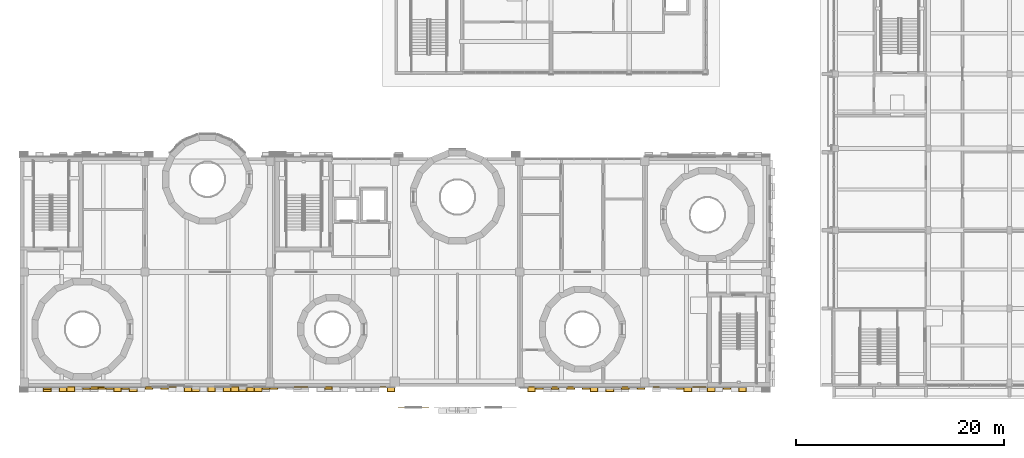
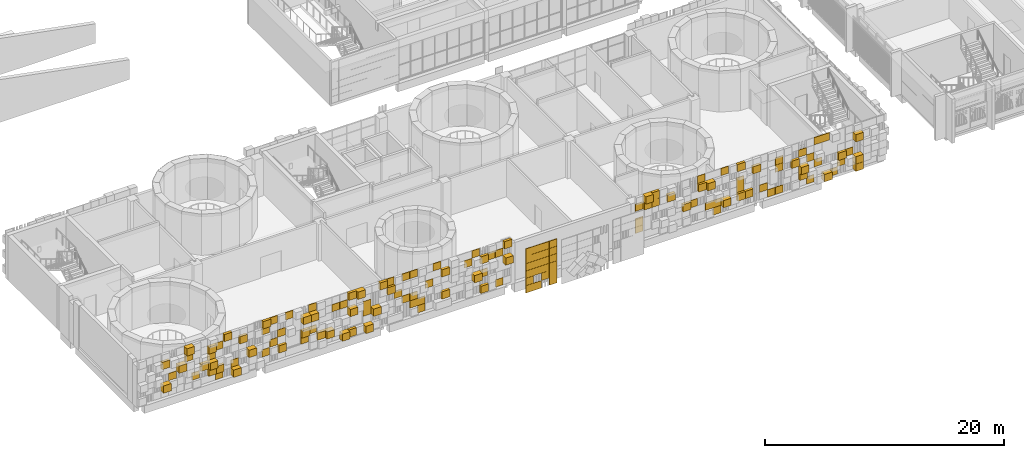
# One storey, part 63 of 92: 3 coverings.
"""IFC4 building model written with IfcOpenShell, lengths in metres."""

from ifc_helpers import new_model, si_unit, direction, frame, origin, origin_2d, place, context, subcontext, project, spatial, rectangle, extrude, material, layer, layer_set, type_object, element, save


model = new_model("IFC4")

# Units and contexts
model_context = context("Model", 3, precision=1e-05, world=origin(), true_north=direction((0.0, 1.0)))
body_context = subcontext(model_context, "Body", "Model", "MODEL_VIEW")
ifc_project = project(units=[si_unit("LENGTHUNIT", "METRE"), si_unit("AREAUNIT", "SQUARE_METRE"), si_unit("VOLUMEUNIT", "CUBIC_METRE"), si_unit("PLANEANGLEUNIT", "RADIAN"), si_unit("MASSUNIT", "GRAM", prefix="KILO")], contexts=[model_context])

# Site, building, storey
site_placement = place(None, origin())
site = spatial("IfcSite", under=ifc_project, at=site_placement, CompositionType="ELEMENT")
building_placement = place(site_placement, origin())
building = spatial("IfcBuilding", under=site, at=building_placement, Name="Sun Court Science Centre", CompositionType="ELEMENT")
storey_placement = place(building_placement, frame((0.0, 0.0, 11.25)))
storey = spatial("IfcBuildingStorey", under=building, at=storey_placement, Name="L02", CompositionType="ELEMENT", Elevation=11.25)

# Coverings
ifc_material_1 = material(Name="Red sandstone", Category="masonry")
ifc_layer_1 = layer(ifc_material_1, 0.06005859375)
ifc_layer_set_1 = layer_set([ifc_layer_1], Name="Red sandstone")
covering_type_1 = type_object("IfcCoveringType", Name="Red sandstone wall cladding 750", PredefinedType="CLADDING", material=ifc_layer_set_1)
covering_1_placement = place(storey_placement, frame((0.0, 0.0, -11.25)))
element("IfcCovering", 1, at=covering_1_placement, inside=storey, type_object=covering_type_1, Name="Red sandstone wall cladding portal-PORTAL-L L02", PredefinedType="CLADDING", context=body_context, shape_type="SweptSolid", body=[
    extrude(rectangle(XDim=0.739990234375, YDim=0.06005859375, at=origin_2d()), frame((38.925048828125, 3.969970703125, 11.2548828125), z_axis=(0.0, 0.0, 1.0), x_axis=(-1.0, 0.0, 0.0)), (0.0, 0.0, 1.0), 0.739990234375),
    extrude(rectangle(XDim=0.739990234375, YDim=0.06005859375, at=origin_2d()), frame((37.425048828125, 3.969970703125, 11.2548828125), z_axis=(0.0, 0.0, 1.0), x_axis=(-1.0, 0.0, 0.0)), (0.0, 0.0, 1.0), 0.739990234375),
    extrude(rectangle(XDim=0.739990234375, YDim=0.06005859375, at=origin_2d()), frame((36.675048828125, 3.969970703125, 11.2548828125), z_axis=(0.0, 0.0, 1.0), x_axis=(-1.0, 0.0, 0.0)), (0.0, 0.0, 1.0), 0.739990234375),
    extrude(rectangle(XDim=0.739990234375, YDim=0.06005859375, at=origin_2d()), frame((38.925048828125, 3.969970703125, 12.0048828125), z_axis=(0.0, 0.0, 1.0), x_axis=(-1.0, 0.0, 0.0)), (0.0, 0.0, 1.0), 0.739990234375),
    extrude(rectangle(XDim=0.739990234375, YDim=0.06005859375, at=origin_2d()), frame((38.175048828125, 3.969970703125, 12.0048828125), z_axis=(0.0, 0.0, 1.0), x_axis=(-1.0, 0.0, 0.0)), (0.0, 0.0, 1.0), 0.739990234375),
    extrude(rectangle(XDim=0.739990234375, YDim=0.06005859375, at=origin_2d()), frame((36.675048828125, 3.969970703125, 12.0048828125), z_axis=(0.0, 0.0, 1.0), x_axis=(-1.0, 0.0, 0.0)), (0.0, 0.0, 1.0), 0.739990234375),
    extrude(rectangle(XDim=0.739990234375, YDim=0.06005859375, at=origin_2d()), frame((38.925048828125, 3.969970703125, 12.7548828125), z_axis=(0.0, 0.0, 1.0), x_axis=(-1.0, 0.0, 0.0)), (0.0, 0.0, 1.0), 0.739990234375),
    extrude(rectangle(XDim=0.739990234375, YDim=0.06005859375, at=origin_2d()), frame((38.175048828125, 3.969970703125, 12.7548828125), z_axis=(0.0, 0.0, 1.0), x_axis=(-1.0, 0.0, 0.0)), (0.0, 0.0, 1.0), 0.739990234375),
    extrude(rectangle(XDim=0.739990234375, YDim=0.06005859375, at=origin_2d()), frame((37.425048828125, 3.969970703125, 12.7548828125), z_axis=(0.0, 0.0, 1.0), x_axis=(-1.0, 0.0, 0.0)), (0.0, 0.0, 1.0), 0.739990234375),
    extrude(rectangle(XDim=0.739990234375, YDim=0.06005859375, at=origin_2d()), frame((36.675048828125, 3.969970703125, 12.7548828125), z_axis=(0.0, 0.0, 1.0), x_axis=(-1.0, 0.0, 0.0)), (0.0, 0.0, 1.0), 0.739990234375),
    extrude(rectangle(XDim=0.739990234375, YDim=0.06005859375, at=origin_2d()), frame((38.925048828125, 3.969970703125, 13.5048828125), z_axis=(0.0, 0.0, 1.0), x_axis=(-1.0, 0.0, 0.0)), (0.0, 0.0, 1.0), 0.739990234375),
    extrude(rectangle(XDim=0.739990234375, YDim=0.06005859375, at=origin_2d()), frame((38.175048828125, 3.969970703125, 13.5048828125), z_axis=(0.0, 0.0, 1.0), x_axis=(-1.0, 0.0, 0.0)), (0.0, 0.0, 1.0), 0.739990234375),
    extrude(rectangle(XDim=0.739990234375, YDim=0.06005859375, at=origin_2d()), frame((37.425048828125, 3.969970703125, 13.5048828125), z_axis=(0.0, 0.0, 1.0), x_axis=(-1.0, 0.0, 0.0)), (0.0, 0.0, 1.0), 0.739990234375),
    extrude(rectangle(XDim=0.739990234375, YDim=0.06005859375, at=origin_2d()), frame((36.675048828125, 3.969970703125, 13.5048828125), z_axis=(0.0, 0.0, 1.0), x_axis=(-1.0, 0.0, 0.0)), (0.0, 0.0, 1.0), 0.739990234375),
    extrude(rectangle(XDim=0.739990234375, YDim=0.06005859375, at=origin_2d()), frame((38.925048828125, 3.969970703125, 14.2548828125), z_axis=(0.0, 0.0, 1.0), x_axis=(-1.0, 0.0, 0.0)), (0.0, 0.0, 1.0), 0.739990234375),
    extrude(rectangle(XDim=0.739990234375, YDim=0.06005859375, at=origin_2d()), frame((38.175048828125, 3.969970703125, 14.2548828125), z_axis=(0.0, 0.0, 1.0), x_axis=(-1.0, 0.0, 0.0)), (0.0, 0.0, 1.0), 0.739990234375),
    extrude(rectangle(XDim=0.739990234375, YDim=0.06005859375, at=origin_2d()), frame((37.425048828125, 3.969970703125, 14.2548828125), z_axis=(0.0, 0.0, 1.0), x_axis=(-1.0, 0.0, 0.0)), (0.0, 0.0, 1.0), 0.739990234375),
    extrude(rectangle(XDim=0.739990234375, YDim=0.06005859375, at=origin_2d()), frame((36.675048828125, 3.969970703125, 14.2548828125), z_axis=(0.0, 0.0, 1.0), x_axis=(-1.0, 0.0, 0.0)), (0.0, 0.0, 1.0), 0.739990234375),
    extrude(rectangle(XDim=0.739990234375, YDim=0.06005859375, at=origin_2d()), frame((38.925048828125, 3.969970703125, 15.0048828125), z_axis=(0.0, 0.0, 1.0), x_axis=(-1.0, 0.0, 0.0)), (0.0, 0.0, 1.0), 0.739990234375),
    extrude(rectangle(XDim=0.739990234375, YDim=0.06005859375, at=origin_2d()), frame((38.175048828125, 3.969970703125, 15.0048828125), z_axis=(0.0, 0.0, 1.0), x_axis=(-1.0, 0.0, 0.0)), (0.0, 0.0, 1.0), 0.739990234375),
    extrude(rectangle(XDim=0.739990234375, YDim=0.06005859375, at=origin_2d()), frame((37.425048828125, 3.969970703125, 15.0048828125), z_axis=(0.0, 0.0, 1.0), x_axis=(-1.0, 0.0, 0.0)), (0.0, 0.0, 1.0), 0.739990234375),
    extrude(rectangle(XDim=0.739990234375, YDim=0.06005859375, at=origin_2d()), frame((36.675048828125, 3.969970703125, 15.0048828125), z_axis=(0.0, 0.0, 1.0), x_axis=(-1.0, 0.0, 0.0)), (0.0, 0.0, 1.0), 0.739990234375),
])
ifc_material_2 = material(Name="Terracotta shade 3", Category="masonry")
ifc_layer_2 = layer(ifc_material_2, 0.06005859375)
ifc_layer_set_2 = layer_set([ifc_layer_2], Name="Terracotta shade 3")
covering_type_2 = type_object("IfcCoveringType", Name="Terracotta pixel panel shade 3", PredefinedType="CLADDING", material=ifc_layer_set_2)
covering_2_placement = place(storey_placement, frame((0.0, 0.0, -11.25)))
element("IfcCovering", 2, at=covering_2_placement, inside=storey, type_object=covering_type_2, Name="Terracotta pixel cladding shade 3 south face L02", PredefinedType="CLADDING", context=body_context, shape_type="SweptSolid", body=[
    extrude(rectangle(XDim=0.739990234375, YDim=0.510009765625, at=origin_2d()), frame((69.375, 5.7451171875, 11.2548828125), z_axis=(0.0, 0.0, 1.0), x_axis=(-1.0, 0.0, 0.0)), (0.0, 0.0, 1.0), 0.739990234375),
    extrude(rectangle(XDim=0.739990234375, YDim=0.510009765625, at=origin_2d()), frame((66.375, 5.7451171875, 11.2548828125), z_axis=(0.0, 0.0, 1.0), x_axis=(-1.0, 0.0, 0.0)), (0.0, 0.0, 1.0), 0.739990234375),
    extrude(rectangle(XDim=0.739990234375, YDim=0.06005859375, at=origin_2d()), frame((61.875, 5.969970703125, 11.2548828125), z_axis=(0.0, 0.0, 1.0), x_axis=(-1.0, 0.0, 0.0)), (0.0, 0.0, 1.0), 0.739990234375),
    extrude(rectangle(XDim=0.739990234375, YDim=0.06005859375, at=origin_2d()), frame((61.125, 5.969970703125, 11.2548828125), z_axis=(0.0, 0.0, 1.0), x_axis=(-1.0, 0.0, 0.0)), (0.0, 0.0, 1.0), 0.739990234375),
    extrude(rectangle(XDim=0.739990234375, YDim=0.06005859375, at=origin_2d()), frame((34.875, 5.969970703125, 11.2548828125), z_axis=(0.0, 0.0, 1.0), x_axis=(-1.0, 0.0, 0.0)), (0.0, 0.0, 1.0), 0.739990234375),
    extrude(rectangle(XDim=0.739990234375, YDim=0.260009765625, at=origin_2d()), frame((33.375, 5.8701171875, 11.2548828125), z_axis=(0.0, 0.0, 1.0), x_axis=(-1.0, 0.0, 0.0)), (0.0, 0.0, 1.0), 0.739990234375),
    extrude(rectangle(XDim=0.739990234375, YDim=0.06005859375, at=origin_2d()), frame((27.375, 5.969970703125, 11.2548828125), z_axis=(0.0, 0.0, 1.0), x_axis=(-1.0, 0.0, 0.0)), (0.0, 0.0, 1.0), 0.739990234375),
    extrude(rectangle(XDim=0.739990234375, YDim=0.510009765625, at=origin_2d()), frame((22.125, 5.7451171875, 11.2548828125), z_axis=(0.0, 0.0, 1.0), x_axis=(-1.0, 0.0, 0.0)), (0.0, 0.0, 1.0), 0.739990234375),
    extrude(rectangle(XDim=0.739990234375, YDim=0.260009765625, at=origin_2d()), frame((20.625, 5.8701171875, 11.2548828125), z_axis=(0.0, 0.0, 1.0), x_axis=(-1.0, 0.0, 0.0)), (0.0, 0.0, 1.0), 0.739990234375),
    extrude(rectangle(XDim=0.739990234375, YDim=0.510009765625, at=origin_2d()), frame((9.375, 5.7451171875, 11.2548828125), z_axis=(0.0, 0.0, 1.0), x_axis=(-1.0, 0.0, 0.0)), (0.0, 0.0, 1.0), 0.739990234375),
    extrude(rectangle(XDim=0.739990234375, YDim=0.06005859375, at=origin_2d()), frame((7.875, 5.969970703125, 11.2548828125), z_axis=(0.0, 0.0, 1.0), x_axis=(-1.0, 0.0, 0.0)), (0.0, 0.0, 1.0), 0.739990234375),
    extrude(rectangle(XDim=0.739990234375, YDim=0.06005859375, at=origin_2d()), frame((60.375, 5.969970703125, 12.0048828125), z_axis=(0.0, 0.0, 1.0), x_axis=(-1.0, 0.0, 0.0)), (0.0, 0.0, 1.0), 0.739990234375),
    extrude(rectangle(XDim=0.739990234375, YDim=0.260009765625, at=origin_2d()), frame((58.875, 5.8701171875, 12.0048828125), z_axis=(0.0, 0.0, 1.0), x_axis=(-1.0, 0.0, 0.0)), (0.0, 0.0, 1.0), 0.739990234375),
    extrude(rectangle(XDim=0.739990234375, YDim=0.510009765625, at=origin_2d()), frame((56.625, 5.7451171875, 12.0048828125), z_axis=(0.0, 0.0, 1.0), x_axis=(-1.0, 0.0, 0.0)), (0.0, 0.0, 1.0), 0.739990234375),
    extrude(rectangle(XDim=0.739990234375, YDim=0.06005859375, at=origin_2d()), frame((55.875, 5.969970703125, 12.0048828125), z_axis=(0.0, 0.0, 1.0), x_axis=(-1.0, 0.0, 0.0)), (0.0, 0.0, 1.0), 0.739990234375),
    extrude(rectangle(XDim=0.739990234375, YDim=0.06005859375, at=origin_2d()), frame((55.125, 5.969970703125, 12.0048828125), z_axis=(0.0, 0.0, 1.0), x_axis=(-1.0, 0.0, 0.0)), (0.0, 0.0, 1.0), 0.739990234375),
    extrude(rectangle(XDim=0.739990234375, YDim=0.06005859375, at=origin_2d()), frame((48.375, 5.969970703125, 12.0048828125), z_axis=(0.0, 0.0, 1.0), x_axis=(-1.0, 0.0, 0.0)), (0.0, 0.0, 1.0), 0.739990234375),
    extrude(rectangle(XDim=0.739990234375, YDim=0.260009765625, at=origin_2d()), frame((29.625, 5.8701171875, 12.0048828125), z_axis=(0.0, 0.0, 1.0), x_axis=(-1.0, 0.0, 0.0)), (0.0, 0.0, 1.0), 0.739990234375),
    extrude(rectangle(XDim=0.739990234375, YDim=0.510009765625, at=origin_2d()), frame((18.375, 5.7451171875, 12.0048828125), z_axis=(0.0, 0.0, 1.0), x_axis=(-1.0, 0.0, 0.0)), (0.0, 0.0, 1.0), 0.739990234375),
    extrude(rectangle(XDim=0.739990234375, YDim=0.260009765625, at=origin_2d()), frame((17.625, 5.8701171875, 12.0048828125), z_axis=(0.0, 0.0, 1.0), x_axis=(-1.0, 0.0, 0.0)), (0.0, 0.0, 1.0), 0.739990234375),
    extrude(rectangle(XDim=0.739990234375, YDim=0.06005859375, at=origin_2d()), frame((16.125, 5.969970703125, 12.0048828125), z_axis=(0.0, 0.0, 1.0), x_axis=(-1.0, 0.0, 0.0)), (0.0, 0.0, 1.0), 0.739990234375),
    extrude(rectangle(XDim=0.739990234375, YDim=0.06005859375, at=origin_2d()), frame((12.375, 5.969970703125, 12.0048828125), z_axis=(0.0, 0.0, 1.0), x_axis=(-1.0, 0.0, 0.0)), (0.0, 0.0, 1.0), 0.739990234375),
    extrude(rectangle(XDim=0.739990234375, YDim=0.260009765625, at=origin_2d()), frame((7.875, 5.8701171875, 12.0048828125), z_axis=(0.0, 0.0, 1.0), x_axis=(-1.0, 0.0, 0.0)), (0.0, 0.0, 1.0), 0.739990234375),
    extrude(rectangle(XDim=0.739990234375, YDim=0.06005859375, at=origin_2d()), frame((5.625, 5.969970703125, 12.0048828125), z_axis=(0.0, 0.0, 1.0), x_axis=(-1.0, 0.0, 0.0)), (0.0, 0.0, 1.0), 0.739990234375),
    extrude(rectangle(XDim=0.739990234375, YDim=0.06005859375, at=origin_2d()), frame((68.625, 5.969970703125, 12.7548828125), z_axis=(0.0, 0.0, 1.0), x_axis=(-1.0, 0.0, 0.0)), (0.0, 0.0, 1.0), 0.739990234375),
    extrude(rectangle(XDim=0.739990234375, YDim=0.260009765625, at=origin_2d()), frame((67.875, 5.8701171875, 12.7548828125), z_axis=(0.0, 0.0, 1.0), x_axis=(-1.0, 0.0, 0.0)), (0.0, 0.0, 1.0), 0.739990234375),
    extrude(rectangle(XDim=0.739990234375, YDim=0.06005859375, at=origin_2d()), frame((65.625, 5.969970703125, 12.7548828125), z_axis=(0.0, 0.0, 1.0), x_axis=(-1.0, 0.0, 0.0)), (0.0, 0.0, 1.0), 0.739990234375),
    extrude(rectangle(XDim=0.739990234375, YDim=0.06005859375, at=origin_2d()), frame((58.125, 5.969970703125, 12.7548828125), z_axis=(0.0, 0.0, 1.0), x_axis=(-1.0, 0.0, 0.0)), (0.0, 0.0, 1.0), 0.739990234375),
    extrude(rectangle(XDim=0.739990234375, YDim=0.06005859375, at=origin_2d()), frame((53.625, 5.969970703125, 12.7548828125), z_axis=(0.0, 0.0, 1.0), x_axis=(-1.0, 0.0, 0.0)), (0.0, 0.0, 1.0), 0.739990234375),
    extrude(rectangle(XDim=0.739990234375, YDim=0.06005859375, at=origin_2d()), frame((48.375, 5.969970703125, 12.7548828125), z_axis=(0.0, 0.0, 1.0), x_axis=(-1.0, 0.0, 0.0)), (0.0, 0.0, 1.0), 0.739990234375),
    extrude(rectangle(XDim=0.739990234375, YDim=0.510009765625, at=origin_2d()), frame((32.625, 5.7451171875, 12.7548828125), z_axis=(0.0, 0.0, 1.0), x_axis=(-1.0, 0.0, 0.0)), (0.0, 0.0, 1.0), 0.739990234375),
    extrude(rectangle(XDim=0.739990234375, YDim=0.06005859375, at=origin_2d()), frame((26.625, 5.969970703125, 12.7548828125), z_axis=(0.0, 0.0, 1.0), x_axis=(-1.0, 0.0, 0.0)), (0.0, 0.0, 1.0), 0.739990234375),
    extrude(rectangle(XDim=0.739990234375, YDim=0.06005859375, at=origin_2d()), frame((25.875, 5.969970703125, 12.7548828125), z_axis=(0.0, 0.0, 1.0), x_axis=(-1.0, 0.0, 0.0)), (0.0, 0.0, 1.0), 0.739990234375),
    extrude(rectangle(XDim=0.739990234375, YDim=0.510009765625, at=origin_2d()), frame((22.875, 5.7451171875, 12.7548828125), z_axis=(0.0, 0.0, 1.0), x_axis=(-1.0, 0.0, 0.0)), (0.0, 0.0, 1.0), 0.739990234375),
    extrude(rectangle(XDim=0.739990234375, YDim=0.06005859375, at=origin_2d()), frame((22.125, 5.969970703125, 12.7548828125), z_axis=(0.0, 0.0, 1.0), x_axis=(-1.0, 0.0, 0.0)), (0.0, 0.0, 1.0), 0.739990234375),
    extrude(rectangle(XDim=0.739990234375, YDim=0.06005859375, at=origin_2d()), frame((16.875, 5.969970703125, 12.7548828125), z_axis=(0.0, 0.0, 1.0), x_axis=(-1.0, 0.0, 0.0)), (0.0, 0.0, 1.0), 0.739990234375),
    extrude(rectangle(XDim=0.739990234375, YDim=0.06005859375, at=origin_2d()), frame((13.125, 5.969970703125, 12.7548828125), z_axis=(0.0, 0.0, 1.0), x_axis=(-1.0, 0.0, 0.0)), (0.0, 0.0, 1.0), 0.739990234375),
    extrude(rectangle(XDim=0.739990234375, YDim=0.510009765625, at=origin_2d()), frame((10.875, 5.7451171875, 12.7548828125), z_axis=(0.0, 0.0, 1.0), x_axis=(-1.0, 0.0, 0.0)), (0.0, 0.0, 1.0), 0.739990234375),
    extrude(rectangle(XDim=0.739990234375, YDim=0.510009765625, at=origin_2d()), frame((7.125, 5.7451171875, 12.7548828125), z_axis=(0.0, 0.0, 1.0), x_axis=(-1.0, 0.0, 0.0)), (0.0, 0.0, 1.0), 0.739990234375),
    extrude(rectangle(XDim=0.739990234375, YDim=0.260009765625, at=origin_2d()), frame((6.375, 5.8701171875, 12.7548828125), z_axis=(0.0, 0.0, 1.0), x_axis=(-1.0, 0.0, 0.0)), (0.0, 0.0, 1.0), 0.739990234375),
    extrude(rectangle(XDim=0.739990234375, YDim=0.260009765625, at=origin_2d()), frame((63.375, 5.8701171875, 13.5048828125), z_axis=(0.0, 0.0, 1.0), x_axis=(-1.0, 0.0, 0.0)), (0.0, 0.0, 1.0), 0.739990234375),
    extrude(rectangle(XDim=0.739990234375, YDim=0.06005859375, at=origin_2d()), frame((61.875, 5.969970703125, 13.5048828125), z_axis=(0.0, 0.0, 1.0), x_axis=(-1.0, 0.0, 0.0)), (0.0, 0.0, 1.0), 0.739990234375),
    extrude(rectangle(XDim=0.739990234375, YDim=0.06005859375, at=origin_2d()), frame((58.125, 5.969970703125, 13.5048828125), z_axis=(0.0, 0.0, 1.0), x_axis=(-1.0, 0.0, 0.0)), (0.0, 0.0, 1.0), 0.739990234375),
    extrude(rectangle(XDim=0.739990234375, YDim=0.06005859375, at=origin_2d()), frame((25.125, 5.969970703125, 13.5048828125), z_axis=(0.0, 0.0, 1.0), x_axis=(-1.0, 0.0, 0.0)), (0.0, 0.0, 1.0), 0.739990234375),
    extrude(rectangle(XDim=0.739990234375, YDim=0.06005859375, at=origin_2d()), frame((22.125, 5.969970703125, 13.5048828125), z_axis=(0.0, 0.0, 1.0), x_axis=(-1.0, 0.0, 0.0)), (0.0, 0.0, 1.0), 0.739990234375),
    extrude(rectangle(XDim=0.739990234375, YDim=0.06005859375, at=origin_2d()), frame((7.125, 5.969970703125, 13.5048828125), z_axis=(0.0, 0.0, 1.0), x_axis=(-1.0, 0.0, 0.0)), (0.0, 0.0, 1.0), 0.739990234375),
    extrude(rectangle(XDim=0.739990234375, YDim=0.06005859375, at=origin_2d()), frame((61.875, 5.969970703125, 14.2548828125), z_axis=(0.0, 0.0, 1.0), x_axis=(-1.0, 0.0, 0.0)), (0.0, 0.0, 1.0), 0.739990234375),
    extrude(rectangle(XDim=0.739990234375, YDim=0.510009765625, at=origin_2d()), frame((55.125, 5.7451171875, 14.2548828125), z_axis=(0.0, 0.0, 1.0), x_axis=(-1.0, 0.0, 0.0)), (0.0, 0.0, 1.0), 0.739990234375),
    extrude(rectangle(XDim=0.739990234375, YDim=0.260009765625, at=origin_2d()), frame((54.375, 5.8701171875, 14.2548828125), z_axis=(0.0, 0.0, 1.0), x_axis=(-1.0, 0.0, 0.0)), (0.0, 0.0, 1.0), 0.739990234375),
    extrude(rectangle(XDim=0.739990234375, YDim=0.260009765625, at=origin_2d()), frame((49.125, 5.8701171875, 14.2548828125), z_axis=(0.0, 0.0, 1.0), x_axis=(-1.0, 0.0, 0.0)), (0.0, 0.0, 1.0), 0.739990234375),
    extrude(rectangle(XDim=0.739990234375, YDim=0.06005859375, at=origin_2d()), frame((48.375, 5.969970703125, 14.2548828125), z_axis=(0.0, 0.0, 1.0), x_axis=(-1.0, 0.0, 0.0)), (0.0, 0.0, 1.0), 0.739990234375),
    extrude(rectangle(XDim=0.739990234375, YDim=0.06005859375, at=origin_2d()), frame((34.875, 5.969970703125, 14.2548828125), z_axis=(0.0, 0.0, 1.0), x_axis=(-1.0, 0.0, 0.0)), (0.0, 0.0, 1.0), 0.739990234375),
    extrude(rectangle(XDim=0.739990234375, YDim=0.260009765625, at=origin_2d()), frame((33.375, 5.8701171875, 14.2548828125), z_axis=(0.0, 0.0, 1.0), x_axis=(-1.0, 0.0, 0.0)), (0.0, 0.0, 1.0), 0.739990234375),
    extrude(rectangle(XDim=0.739990234375, YDim=0.06005859375, at=origin_2d()), frame((31.875, 5.969970703125, 14.2548828125), z_axis=(0.0, 0.0, 1.0), x_axis=(-1.0, 0.0, 0.0)), (0.0, 0.0, 1.0), 0.739990234375),
    extrude(rectangle(XDim=0.739990234375, YDim=0.06005859375, at=origin_2d()), frame((19.875, 5.969970703125, 14.2548828125), z_axis=(0.0, 0.0, 1.0), x_axis=(-1.0, 0.0, 0.0)), (0.0, 0.0, 1.0), 0.739990234375),
    extrude(rectangle(XDim=0.739990234375, YDim=0.06005859375, at=origin_2d()), frame((19.125, 5.969970703125, 14.2548828125), z_axis=(0.0, 0.0, 1.0), x_axis=(-1.0, 0.0, 0.0)), (0.0, 0.0, 1.0), 0.739990234375),
    extrude(rectangle(XDim=0.739990234375, YDim=0.510009765625, at=origin_2d()), frame((16.875, 5.7451171875, 14.2548828125), z_axis=(0.0, 0.0, 1.0), x_axis=(-1.0, 0.0, 0.0)), (0.0, 0.0, 1.0), 0.739990234375),
    extrude(rectangle(XDim=0.739990234375, YDim=0.06005859375, at=origin_2d()), frame((12.375, 5.969970703125, 14.2548828125), z_axis=(0.0, 0.0, 1.0), x_axis=(-1.0, 0.0, 0.0)), (0.0, 0.0, 1.0), 0.739990234375),
    extrude(rectangle(XDim=0.739990234375, YDim=0.260009765625, at=origin_2d()), frame((7.125, 5.8701171875, 14.2548828125), z_axis=(0.0, 0.0, 1.0), x_axis=(-1.0, 0.0, 0.0)), (0.0, 0.0, 1.0), 0.739990234375),
    extrude(rectangle(XDim=0.739990234375, YDim=0.260009765625, at=origin_2d()), frame((4.875, 5.8701171875, 14.2548828125), z_axis=(0.0, 0.0, 1.0), x_axis=(-1.0, 0.0, 0.0)), (0.0, 0.0, 1.0), 0.739990234375),
    extrude(rectangle(XDim=0.739990234375, YDim=0.260009765625, at=origin_2d()), frame((2.625, 5.8701171875, 14.2548828125), z_axis=(0.0, 0.0, 1.0), x_axis=(-1.0, 0.0, 0.0)), (0.0, 0.0, 1.0), 0.739990234375),
    extrude(rectangle(XDim=0.739990234375, YDim=0.06005859375, at=origin_2d()), frame((66.375, 5.969970703125, 15.0048828125), z_axis=(0.0, 0.0, 1.0), x_axis=(-1.0, 0.0, 0.0)), (0.0, 0.0, 1.0), 0.739990234375),
    extrude(rectangle(XDim=0.739990234375, YDim=0.06005859375, at=origin_2d()), frame((65.625, 5.969970703125, 15.0048828125), z_axis=(0.0, 0.0, 1.0), x_axis=(-1.0, 0.0, 0.0)), (0.0, 0.0, 1.0), 0.739990234375),
    extrude(rectangle(XDim=0.739990234375, YDim=0.260009765625, at=origin_2d()), frame((35.625, 5.8701171875, 15.0048828125), z_axis=(0.0, 0.0, 1.0), x_axis=(-1.0, 0.0, 0.0)), (0.0, 0.0, 1.0), 0.739990234375),
    extrude(rectangle(XDim=0.739990234375, YDim=0.06005859375, at=origin_2d()), frame((32.625, 5.969970703125, 15.0048828125), z_axis=(0.0, 0.0, 1.0), x_axis=(-1.0, 0.0, 0.0)), (0.0, 0.0, 1.0), 0.739990234375),
    extrude(rectangle(XDim=0.739990234375, YDim=0.06005859375, at=origin_2d()), frame((28.875, 5.969970703125, 15.0048828125), z_axis=(0.0, 0.0, 1.0), x_axis=(-1.0, 0.0, 0.0)), (0.0, 0.0, 1.0), 0.739990234375),
    extrude(rectangle(XDim=0.739990234375, YDim=0.06005859375, at=origin_2d()), frame((25.875, 5.969970703125, 15.0048828125), z_axis=(0.0, 0.0, 1.0), x_axis=(-1.0, 0.0, 0.0)), (0.0, 0.0, 1.0), 0.739990234375),
    extrude(rectangle(XDim=0.739990234375, YDim=0.06005859375, at=origin_2d()), frame((24.375, 5.969970703125, 15.0048828125), z_axis=(0.0, 0.0, 1.0), x_axis=(-1.0, 0.0, 0.0)), (0.0, 0.0, 1.0), 0.739990234375),
    extrude(rectangle(XDim=0.739990234375, YDim=0.510009765625, at=origin_2d()), frame((21.375, 5.7451171875, 15.0048828125), z_axis=(0.0, 0.0, 1.0), x_axis=(-1.0, 0.0, 0.0)), (0.0, 0.0, 1.0), 0.739990234375),
    extrude(rectangle(XDim=0.739990234375, YDim=0.260009765625, at=origin_2d()), frame((20.625, 5.8701171875, 15.0048828125), z_axis=(0.0, 0.0, 1.0), x_axis=(-1.0, 0.0, 0.0)), (0.0, 0.0, 1.0), 0.739990234375),
    extrude(rectangle(XDim=0.739990234375, YDim=0.06005859375, at=origin_2d()), frame((16.875, 5.969970703125, 15.0048828125), z_axis=(0.0, 0.0, 1.0), x_axis=(-1.0, 0.0, 0.0)), (0.0, 0.0, 1.0), 0.739990234375),
    extrude(rectangle(XDim=0.739990234375, YDim=0.06005859375, at=origin_2d()), frame((13.125, 5.969970703125, 15.0048828125), z_axis=(0.0, 0.0, 1.0), x_axis=(-1.0, 0.0, 0.0)), (0.0, 0.0, 1.0), 0.739990234375),
    extrude(rectangle(XDim=0.739990234375, YDim=0.260009765625, at=origin_2d()), frame((12.375, 5.8701171875, 15.0048828125), z_axis=(0.0, 0.0, 1.0), x_axis=(-1.0, 0.0, 0.0)), (0.0, 0.0, 1.0), 0.739990234375),
    extrude(rectangle(XDim=0.739990234375, YDim=0.510009765625, at=origin_2d()), frame((2.625, 5.7451171875, 12.0048828125), z_axis=(0.0, 0.0, 1.0), x_axis=(-1.0, 0.0, 0.0)), (0.0, 0.0, 1.0), 0.739990234375),
    extrude(rectangle(XDim=0.739990234375, YDim=0.510009765625, at=origin_2d()), frame((69.375, 5.7451171875, 12.0048828125), z_axis=(0.0, 0.0, 1.0), x_axis=(-1.0, 0.0, 0.0)), (0.0, 0.0, 1.0), 0.739990234375),
    extrude(rectangle(XDim=0.739990234375, YDim=0.510009765625, at=origin_2d()), frame((69.375, 5.7451171875, 14.2548828125), z_axis=(0.0, 0.0, 1.0), x_axis=(-1.0, 0.0, 0.0)), (0.0, 0.0, 1.0), 0.739990234375),
])
ifc_material_3 = material(Name="Terracotta shade 5", Category="masonry")
ifc_layer_3 = layer(ifc_material_3, 0.06005859375)
ifc_layer_set_3 = layer_set([ifc_layer_3], Name="Terracotta shade 5")
covering_type_3 = type_object("IfcCoveringType", Name="Terracotta pixel panel shade 5", PredefinedType="CLADDING", material=ifc_layer_set_3)
covering_3_placement = place(storey_placement, frame((0.0, 0.0, -11.25)))
element("IfcCovering", 3, at=covering_3_placement, inside=storey, type_object=covering_type_3, Name="Terracotta pixel cladding shade 5 south face L02", PredefinedType="CLADDING", context=body_context, shape_type="SweptSolid", body=[
    extrude(rectangle(XDim=0.739990234375, YDim=0.06005859375, at=origin_2d()), frame((67.125, 5.969970703125, 11.2548828125), z_axis=(0.0, 0.0, 1.0), x_axis=(-1.0, 0.0, 0.0)), (0.0, 0.0, 1.0), 0.739990234375),
    extrude(rectangle(XDim=0.739990234375, YDim=0.06005859375, at=origin_2d()), frame((64.875, 5.969970703125, 11.2548828125), z_axis=(0.0, 0.0, 1.0), x_axis=(-1.0, 0.0, 0.0)), (0.0, 0.0, 1.0), 0.739990234375),
    extrude(rectangle(XDim=0.739990234375, YDim=0.06005859375, at=origin_2d()), frame((55.875, 5.969970703125, 11.2548828125), z_axis=(0.0, 0.0, 1.0), x_axis=(-1.0, 0.0, 0.0)), (0.0, 0.0, 1.0), 0.739990234375),
    extrude(rectangle(XDim=0.739990234375, YDim=0.510009765625, at=origin_2d()), frame((19.875, 5.7451171875, 11.2548828125), z_axis=(0.0, 0.0, 1.0), x_axis=(-1.0, 0.0, 0.0)), (0.0, 0.0, 1.0), 0.739990234375),
    extrude(rectangle(XDim=0.739990234375, YDim=0.06005859375, at=origin_2d()), frame((67.875, 5.969970703125, 12.0048828125), z_axis=(0.0, 0.0, 1.0), x_axis=(-1.0, 0.0, 0.0)), (0.0, 0.0, 1.0), 0.739990234375),
    extrude(rectangle(XDim=0.739990234375, YDim=0.260009765625, at=origin_2d()), frame((64.125, 5.8701171875, 12.0048828125), z_axis=(0.0, 0.0, 1.0), x_axis=(-1.0, 0.0, 0.0)), (0.0, 0.0, 1.0), 0.739990234375),
    extrude(rectangle(XDim=0.739990234375, YDim=0.260009765625, at=origin_2d()), frame((58.125, 5.8701171875, 12.0048828125), z_axis=(0.0, 0.0, 1.0), x_axis=(-1.0, 0.0, 0.0)), (0.0, 0.0, 1.0), 0.739990234375),
    extrude(rectangle(XDim=0.739990234375, YDim=0.06005859375, at=origin_2d()), frame((27.375, 5.969970703125, 12.0048828125), z_axis=(0.0, 0.0, 1.0), x_axis=(-1.0, 0.0, 0.0)), (0.0, 0.0, 1.0), 0.739990234375),
    extrude(rectangle(XDim=0.739990234375, YDim=0.06005859375, at=origin_2d()), frame((26.625, 5.969970703125, 12.0048828125), z_axis=(0.0, 0.0, 1.0), x_axis=(-1.0, 0.0, 0.0)), (0.0, 0.0, 1.0), 0.739990234375),
    extrude(rectangle(XDim=0.739990234375, YDim=0.260009765625, at=origin_2d()), frame((13.875, 5.8701171875, 12.0048828125), z_axis=(0.0, 0.0, 1.0), x_axis=(-1.0, 0.0, 0.0)), (0.0, 0.0, 1.0), 0.739990234375),
    extrude(rectangle(XDim=0.739990234375, YDim=0.06005859375, at=origin_2d()), frame((9.375, 5.969970703125, 12.0048828125), z_axis=(0.0, 0.0, 1.0), x_axis=(-1.0, 0.0, 0.0)), (0.0, 0.0, 1.0), 0.739990234375),
    extrude(rectangle(XDim=0.739990234375, YDim=0.260009765625, at=origin_2d()), frame((7.125, 5.8701171875, 12.0048828125), z_axis=(0.0, 0.0, 1.0), x_axis=(-1.0, 0.0, 0.0)), (0.0, 0.0, 1.0), 0.739990234375),
    extrude(rectangle(XDim=0.739990234375, YDim=0.510009765625, at=origin_2d()), frame((64.125, 5.7451171875, 12.7548828125), z_axis=(0.0, 0.0, 1.0), x_axis=(-1.0, 0.0, 0.0)), (0.0, 0.0, 1.0), 0.739990234375),
    extrude(rectangle(XDim=0.739990234375, YDim=0.260009765625, at=origin_2d()), frame((52.875, 5.8701171875, 12.7548828125), z_axis=(0.0, 0.0, 1.0), x_axis=(-1.0, 0.0, 0.0)), (0.0, 0.0, 1.0), 0.739990234375),
    extrude(rectangle(XDim=0.739990234375, YDim=0.06005859375, at=origin_2d()), frame((33.375, 5.969970703125, 12.7548828125), z_axis=(0.0, 0.0, 1.0), x_axis=(-1.0, 0.0, 0.0)), (0.0, 0.0, 1.0), 0.739990234375),
    extrude(rectangle(XDim=0.739990234375, YDim=0.260009765625, at=origin_2d()), frame((16.125, 5.8701171875, 12.7548828125), z_axis=(0.0, 0.0, 1.0), x_axis=(-1.0, 0.0, 0.0)), (0.0, 0.0, 1.0), 0.739990234375),
    extrude(rectangle(XDim=0.739990234375, YDim=0.06005859375, at=origin_2d()), frame((3.375, 5.969970703125, 12.7548828125), z_axis=(0.0, 0.0, 1.0), x_axis=(-1.0, 0.0, 0.0)), (0.0, 0.0, 1.0), 0.739990234375),
    extrude(rectangle(XDim=0.739990234375, YDim=0.06005859375, at=origin_2d()), frame((64.875, 5.969970703125, 13.5048828125), z_axis=(0.0, 0.0, 1.0), x_axis=(-1.0, 0.0, 0.0)), (0.0, 0.0, 1.0), 0.739990234375),
    extrude(rectangle(XDim=0.739990234375, YDim=0.510009765625, at=origin_2d()), frame((35.625, 5.7451171875, 13.5048828125), z_axis=(0.0, 0.0, 1.0), x_axis=(-1.0, 0.0, 0.0)), (0.0, 0.0, 1.0), 0.739990234375),
    extrude(rectangle(XDim=0.739990234375, YDim=0.06005859375, at=origin_2d()), frame((28.125, 5.969970703125, 13.5048828125), z_axis=(0.0, 0.0, 1.0), x_axis=(-1.0, 0.0, 0.0)), (0.0, 0.0, 1.0), 0.739990234375),
    extrude(rectangle(XDim=0.739990234375, YDim=0.510009765625, at=origin_2d()), frame((20.625, 5.7451171875, 13.5048828125), z_axis=(0.0, 0.0, 1.0), x_axis=(-1.0, 0.0, 0.0)), (0.0, 0.0, 1.0), 0.739990234375),
    extrude(rectangle(XDim=0.739990234375, YDim=0.06005859375, at=origin_2d()), frame((13.875, 5.969970703125, 13.5048828125), z_axis=(0.0, 0.0, 1.0), x_axis=(-1.0, 0.0, 0.0)), (0.0, 0.0, 1.0), 0.739990234375),
    extrude(rectangle(XDim=0.739990234375, YDim=0.510009765625, at=origin_2d()), frame((4.125, 5.7451171875, 13.5048828125), z_axis=(0.0, 0.0, 1.0), x_axis=(-1.0, 0.0, 0.0)), (0.0, 0.0, 1.0), 0.739990234375),
    extrude(rectangle(XDim=0.739990234375, YDim=0.06005859375, at=origin_2d()), frame((64.125, 5.969970703125, 14.2548828125), z_axis=(0.0, 0.0, 1.0), x_axis=(-1.0, 0.0, 0.0)), (0.0, 0.0, 1.0), 0.739990234375),
    extrude(rectangle(XDim=0.739990234375, YDim=0.260009765625, at=origin_2d()), frame((59.625, 5.8701171875, 14.2548828125), z_axis=(0.0, 0.0, 1.0), x_axis=(-1.0, 0.0, 0.0)), (0.0, 0.0, 1.0), 0.739990234375),
    extrude(rectangle(XDim=0.739990234375, YDim=0.260009765625, at=origin_2d()), frame((51.375, 5.8701171875, 14.2548828125), z_axis=(0.0, 0.0, 1.0), x_axis=(-1.0, 0.0, 0.0)), (0.0, 0.0, 1.0), 0.739990234375),
    extrude(rectangle(XDim=0.739990234375, YDim=0.260009765625, at=origin_2d()), frame((49.875, 5.8701171875, 14.2548828125), z_axis=(0.0, 0.0, 1.0), x_axis=(-1.0, 0.0, 0.0)), (0.0, 0.0, 1.0), 0.739990234375),
    extrude(rectangle(XDim=0.739990234375, YDim=0.06005859375, at=origin_2d()), frame((34.125, 5.969970703125, 14.2548828125), z_axis=(0.0, 0.0, 1.0), x_axis=(-1.0, 0.0, 0.0)), (0.0, 0.0, 1.0), 0.739990234375),
    extrude(rectangle(XDim=0.739990234375, YDim=0.260009765625, at=origin_2d()), frame((29.625, 5.8701171875, 14.2548828125), z_axis=(0.0, 0.0, 1.0), x_axis=(-1.0, 0.0, 0.0)), (0.0, 0.0, 1.0), 0.739990234375),
    extrude(rectangle(XDim=0.739990234375, YDim=0.260009765625, at=origin_2d()), frame((24.375, 5.8701171875, 14.2548828125), z_axis=(0.0, 0.0, 1.0), x_axis=(-1.0, 0.0, 0.0)), (0.0, 0.0, 1.0), 0.739990234375),
    extrude(rectangle(XDim=0.739990234375, YDim=0.510009765625, at=origin_2d()), frame((16.125, 5.7451171875, 14.2548828125), z_axis=(0.0, 0.0, 1.0), x_axis=(-1.0, 0.0, 0.0)), (0.0, 0.0, 1.0), 0.739990234375),
    extrude(rectangle(XDim=0.739990234375, YDim=0.260009765625, at=origin_2d()), frame((10.125, 5.8701171875, 14.2548828125), z_axis=(0.0, 0.0, 1.0), x_axis=(-1.0, 0.0, 0.0)), (0.0, 0.0, 1.0), 0.739990234375),
    extrude(rectangle(XDim=0.739990234375, YDim=0.06005859375, at=origin_2d()), frame((7.875, 5.969970703125, 14.2548828125), z_axis=(0.0, 0.0, 1.0), x_axis=(-1.0, 0.0, 0.0)), (0.0, 0.0, 1.0), 0.739990234375),
    extrude(rectangle(XDim=0.739990234375, YDim=0.260009765625, at=origin_2d()), frame((58.125, 5.8701171875, 15.0048828125), z_axis=(0.0, 0.0, 1.0), x_axis=(-1.0, 0.0, 0.0)), (0.0, 0.0, 1.0), 0.739990234375),
    extrude(rectangle(XDim=0.739990234375, YDim=0.06005859375, at=origin_2d()), frame((56.625, 5.969970703125, 15.0048828125), z_axis=(0.0, 0.0, 1.0), x_axis=(-1.0, 0.0, 0.0)), (0.0, 0.0, 1.0), 0.739990234375),
    extrude(rectangle(XDim=0.739990234375, YDim=0.06005859375, at=origin_2d()), frame((54.375, 5.969970703125, 15.0048828125), z_axis=(0.0, 0.0, 1.0), x_axis=(-1.0, 0.0, 0.0)), (0.0, 0.0, 1.0), 0.739990234375),
    extrude(rectangle(XDim=0.739990234375, YDim=0.260009765625, at=origin_2d()), frame((49.875, 5.8701171875, 15.0048828125), z_axis=(0.0, 0.0, 1.0), x_axis=(-1.0, 0.0, 0.0)), (0.0, 0.0, 1.0), 0.739990234375),
    extrude(rectangle(XDim=0.739990234375, YDim=0.510009765625, at=origin_2d()), frame((49.125, 5.7451171875, 15.0048828125), z_axis=(0.0, 0.0, 1.0), x_axis=(-1.0, 0.0, 0.0)), (0.0, 0.0, 1.0), 0.739990234375),
    extrude(rectangle(XDim=0.739990234375, YDim=0.06005859375, at=origin_2d()), frame((26.625, 5.969970703125, 15.0048828125), z_axis=(0.0, 0.0, 1.0), x_axis=(-1.0, 0.0, 0.0)), (0.0, 0.0, 1.0), 0.739990234375),
    extrude(rectangle(XDim=0.739990234375, YDim=0.260009765625, at=origin_2d()), frame((23.625, 5.8701171875, 15.0048828125), z_axis=(0.0, 0.0, 1.0), x_axis=(-1.0, 0.0, 0.0)), (0.0, 0.0, 1.0), 0.739990234375),
    extrude(rectangle(XDim=0.739990234375, YDim=0.06005859375, at=origin_2d()), frame((14.625, 5.969970703125, 15.0048828125), z_axis=(0.0, 0.0, 1.0), x_axis=(-1.0, 0.0, 0.0)), (0.0, 0.0, 1.0), 0.739990234375),
    extrude(rectangle(XDim=0.739990234375, YDim=0.260009765625, at=origin_2d()), frame((8.625, 5.8701171875, 15.0048828125), z_axis=(0.0, 0.0, 1.0), x_axis=(-1.0, 0.0, 0.0)), (0.0, 0.0, 1.0), 0.739990234375),
    extrude(rectangle(XDim=0.739990234375, YDim=0.510009765625, at=origin_2d()), frame((4.875, 5.7451171875, 15.0048828125), z_axis=(0.0, 0.0, 1.0), x_axis=(-1.0, 0.0, 0.0)), (0.0, 0.0, 1.0), 0.739990234375),
])

save(model, "model.ifc")
